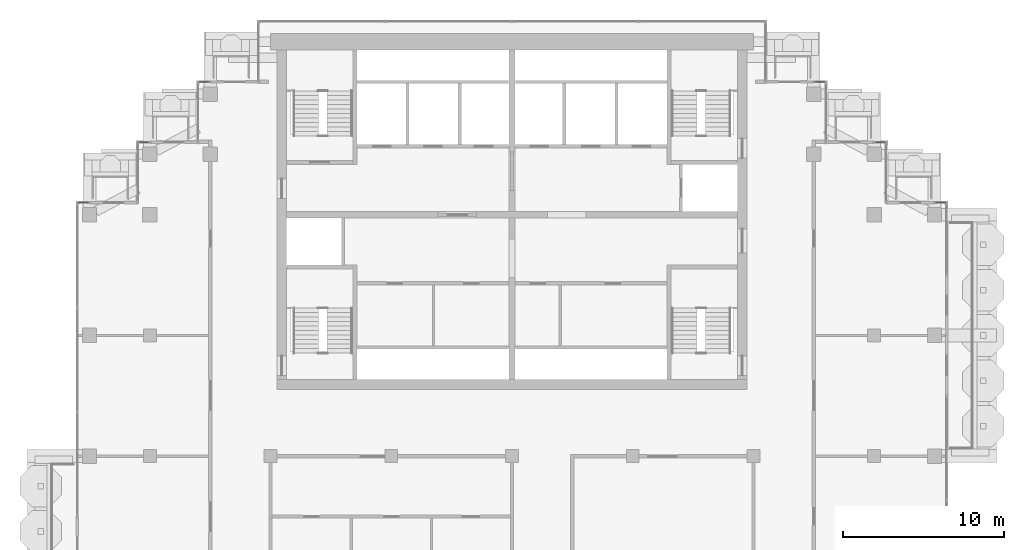
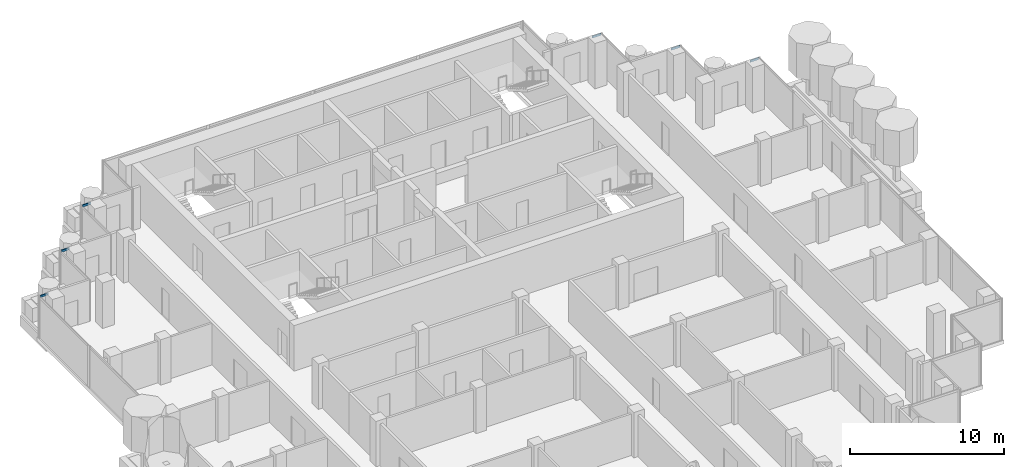
# One storey, part 7 of 18: 6 members, 6 elements without a shape of their own.
"""IFC4 building model written with IfcOpenShell, lengths in metres."""

from ifc_helpers import new_model, si_unit, direction, frame, origin, origin_2d, place, context, subcontext, project, spatial, rectangle, extrude, material, material_profile, profile_set, type_object, element, aggregate, save


model = new_model("IFC4")

# Units and contexts
model_context = context("Model", 3, precision=1e-05, world=origin(), true_north=direction((0.0, 1.0)))
body_context = subcontext(model_context, "Body", "Model", "MODEL_VIEW")
ifc_project = project(units=[si_unit("LENGTHUNIT", "METRE"), si_unit("AREAUNIT", "SQUARE_METRE"), si_unit("VOLUMEUNIT", "CUBIC_METRE"), si_unit("PLANEANGLEUNIT", "RADIAN"), si_unit("MASSUNIT", "GRAM", prefix="KILO")], contexts=[model_context])

# Site, building, storey
site_placement = place(None, origin())
site = spatial("IfcSite", under=ifc_project, at=site_placement, CompositionType="ELEMENT")
building_placement = place(site_placement, origin())
building = spatial("IfcBuilding", under=site, at=building_placement, Name="Pilkhan Gate Tower", CompositionType="ELEMENT")
storey_placement = place(building_placement, frame((0.0, 0.0, 231.89990234375)))
storey = spatial("IfcBuildingStorey", under=building, at=storey_placement, Name="L60", CompositionType="ELEMENT", Elevation=231.89990234375)

# Curtain wall, member
ifc_material_1 = material(Name="Pale anodised aluminium, clear low-iron double glazing", Category="aluminium")
curtain_wall_type = type_object("IfcCurtainWallType", Name="Office unitised curtain wall CW-O2", PredefinedType="USERDEFINED", material=ifc_material_1)
curtain_wall_1_placement = place(storey_placement, origin())
curtain_wall_1 = element("IfcCurtainWall", 1, at=curtain_wall_1_placement, inside=storey, type_object=curtain_wall_type, Name="Office unitised curtain wall CW-O2 L60 N", ObjectType="UNITISED CURTAIN WALL", PredefinedType="USERDEFINED")
ifc_material_2 = material(Name="Pale anodised aluminium", Category="aluminium")
ifc_material_profile = material_profile(ifc_material_2, rectangle(XDim=0.06494140625, YDim=0.1650390625, at=origin_2d()), Name="Transom 165x65")
ifc_profile_set = profile_set([ifc_material_profile], Name="Pale anodised aluminium")
member_type = type_object("IfcMemberType", Name="Transom CW-O2 165x65", PredefinedType="USERDEFINED", material=ifc_profile_set)
member_1_placement = place(storey_placement, frame((101.31494140625, 83.25, 3.217529296875), z_axis=(1.0, 0.0, 0.0), x_axis=(0.0, 1.0, 0.0)))
member_1 = element("IfcMember", 2, at=member_1_placement, type_object=member_type, Name="CW-O2 transom 1", ObjectType="TRANSOM", PredefinedType="USERDEFINED", context=body_context, shape_type="SweptSolid", body=[
    extrude(rectangle(XDim=0.06494140625, YDim=0.1650390625, at=origin_2d()), origin(), (0.0, 0.0, 1.0), 0.6201171875),
])
aggregate(curtain_wall_1, [member_1])

curtain_wall_2_placement = place(storey_placement, origin())
curtain_wall_2 = element("IfcCurtainWall", 3, at=curtain_wall_2_placement, inside=storey, type_object=curtain_wall_type, Name="Office unitised curtain wall CW-O2 L60 N", ObjectType="UNITISED CURTAIN WALL", PredefinedType="USERDEFINED")
member_2_placement = place(storey_placement, frame((97.56494140625, 87.0, 3.217529296875), z_axis=(1.0, 0.0, 0.0), x_axis=(0.0, 1.0, 0.0)))
member_2 = element("IfcMember", 4, at=member_2_placement, type_object=member_type, Name="CW-O2 transom 1", ObjectType="TRANSOM", PredefinedType="USERDEFINED", context=body_context, shape_type="SweptSolid", body=[
    extrude(rectangle(XDim=0.06494140625, YDim=0.1650390625, at=origin_2d()), origin(), (0.0, 0.0, 1.0), 0.6201171875),
])
aggregate(curtain_wall_2, [member_2])

curtain_wall_3_placement = place(storey_placement, origin())
curtain_wall_3 = element("IfcCurtainWall", 5, at=curtain_wall_3_placement, inside=storey, type_object=curtain_wall_type, Name="Office unitised curtain wall CW-O2 L60 N", ObjectType="UNITISED CURTAIN WALL", PredefinedType="USERDEFINED")
member_3_placement = place(storey_placement, frame((93.81494140625, 90.75, 3.217529296875), z_axis=(1.0, 0.0, 0.0), x_axis=(0.0, 1.0, 0.0)))
member_3 = element("IfcMember", 6, at=member_3_placement, type_object=member_type, Name="CW-O2 transom 1", ObjectType="TRANSOM", PredefinedType="USERDEFINED", context=body_context, shape_type="SweptSolid", body=[
    extrude(rectangle(XDim=0.06494140625, YDim=0.1650390625, at=origin_2d()), origin(), (0.0, 0.0, 1.0), 0.6201171875),
])
aggregate(curtain_wall_3, [member_3])

curtain_wall_4_placement = place(storey_placement, origin())
curtain_wall_4 = element("IfcCurtainWall", 7, at=curtain_wall_4_placement, inside=storey, type_object=curtain_wall_type, Name="Office unitised curtain wall CW-O2 L60 N", ObjectType="UNITISED CURTAIN WALL", PredefinedType="USERDEFINED")
member_4_placement = place(storey_placement, frame((55.56494140625, 90.75, 3.217529296875), z_axis=(1.0, 0.0, 0.0), x_axis=(0.0, 1.0, 0.0)))
member_4 = element("IfcMember", 8, at=member_4_placement, type_object=member_type, Name="CW-O2 transom 1", ObjectType="TRANSOM", PredefinedType="USERDEFINED", context=body_context, shape_type="SweptSolid", body=[
    extrude(rectangle(XDim=0.06494140625, YDim=0.1650390625, at=origin_2d()), origin(), (0.0, 0.0, 1.0), 0.6201171875),
])
aggregate(curtain_wall_4, [member_4])

curtain_wall_5_placement = place(storey_placement, origin())
curtain_wall_5 = element("IfcCurtainWall", 9, at=curtain_wall_5_placement, inside=storey, type_object=curtain_wall_type, Name="Office unitised curtain wall CW-O2 L60 N", ObjectType="UNITISED CURTAIN WALL", PredefinedType="USERDEFINED")
member_5_placement = place(storey_placement, frame((51.81494140625, 87.0, 3.217529296875), z_axis=(1.0, 0.0, 0.0), x_axis=(0.0, 1.0, 0.0)))
member_5 = element("IfcMember", 10, at=member_5_placement, type_object=member_type, Name="CW-O2 transom 1", ObjectType="TRANSOM", PredefinedType="USERDEFINED", context=body_context, shape_type="SweptSolid", body=[
    extrude(rectangle(XDim=0.06494140625, YDim=0.1650390625, at=origin_2d()), origin(), (0.0, 0.0, 1.0), 0.6201171875),
])
aggregate(curtain_wall_5, [member_5])

curtain_wall_6_placement = place(storey_placement, origin())
curtain_wall_6 = element("IfcCurtainWall", 11, at=curtain_wall_6_placement, inside=storey, type_object=curtain_wall_type, Name="Office unitised curtain wall CW-O2 L60 N", ObjectType="UNITISED CURTAIN WALL", PredefinedType="USERDEFINED")
member_6_placement = place(storey_placement, frame((48.06494140625, 83.25, 3.217529296875), z_axis=(1.0, 0.0, 0.0), x_axis=(0.0, 1.0, 0.0)))
member_6 = element("IfcMember", 12, at=member_6_placement, type_object=member_type, Name="CW-O2 transom 1", ObjectType="TRANSOM", PredefinedType="USERDEFINED", context=body_context, shape_type="SweptSolid", body=[
    extrude(rectangle(XDim=0.06494140625, YDim=0.1650390625, at=origin_2d()), origin(), (0.0, 0.0, 1.0), 0.6201171875),
])
aggregate(curtain_wall_6, [member_6])

save(model, "model.ifc")
